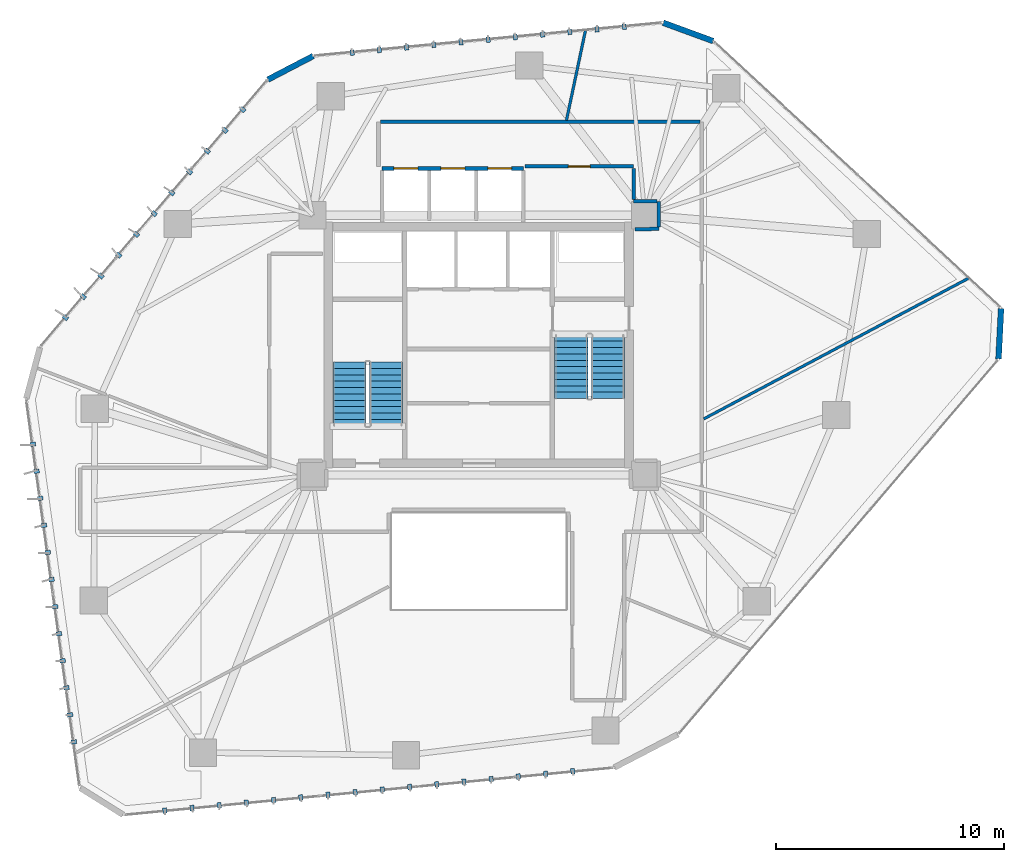
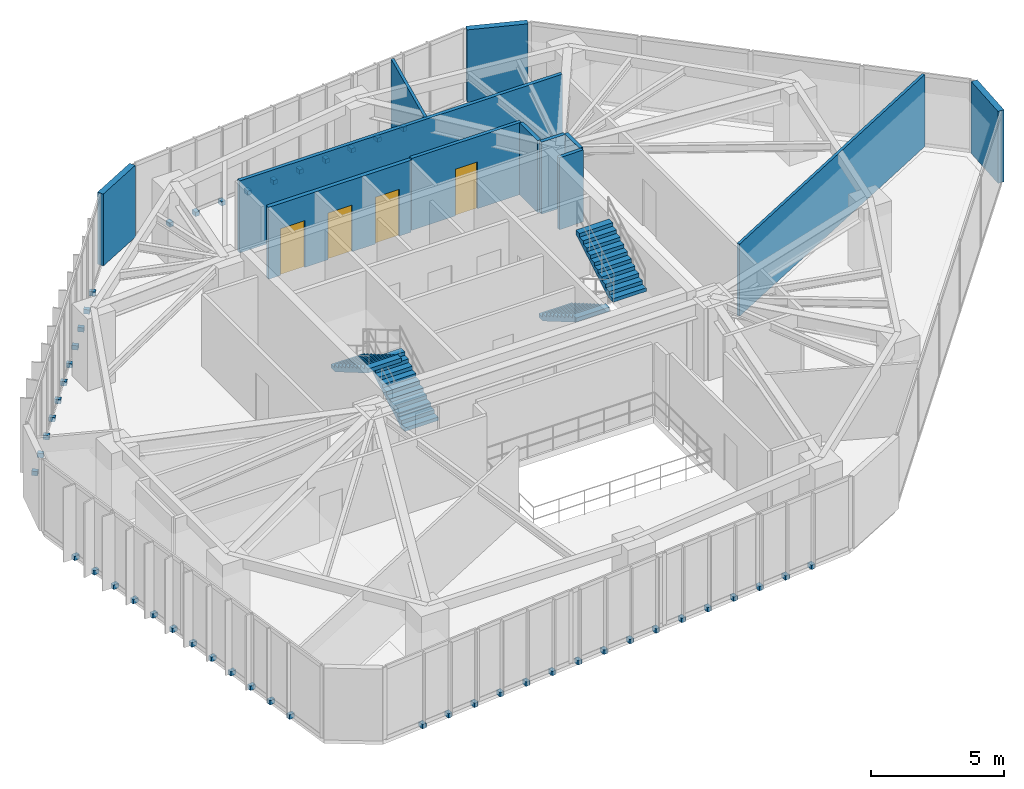
# One storey, part 19 of 22: 50 discrete accessories, 12 walls, 4 doors, 4 stair flights, 4 openings, 2 elements without a shape of their own.
"""IFC4 building model written with IfcOpenShell, lengths in metres."""

from ifc_helpers import new_model, si_unit, direction, frame, frame_2d, origin, origin_2d, place, context, subcontext, project, spatial, polyline, rectangle, outline, extrude, source, transform, mapped, material, layer, layer_set, type_object, type_shapes, element, fill, aggregate, save


model = new_model("IFC4")

# Units and contexts
model_context = context("Model", 3, precision=1e-05, world=origin(), true_north=direction((0.0, 1.0)))
body_context = subcontext(model_context, "Body", "Model", "MODEL_VIEW")
ifc_project = project(units=[si_unit("LENGTHUNIT", "METRE"), si_unit("AREAUNIT", "SQUARE_METRE"), si_unit("VOLUMEUNIT", "CUBIC_METRE"), si_unit("PLANEANGLEUNIT", "RADIAN"), si_unit("MASSUNIT", "GRAM", prefix="KILO")], contexts=[model_context])

# Site, building, storey
site_placement = place(None, origin())
site = spatial("IfcSite", under=ifc_project, at=site_placement, CompositionType="ELEMENT")
building_placement = place(site_placement, origin())
building = spatial("IfcBuilding", under=site, at=building_placement, Name="Talar Marvaseh", CompositionType="ELEMENT")
storey_placement = place(building_placement, frame((0.0, 0.0, 107.39990234375)))
storey = spatial("IfcBuildingStorey", under=building, at=storey_placement, Name="L27", CompositionType="ELEMENT", Elevation=107.39990234375)

# Walls
ifc_material_1 = material(Name="Precast concrete C45/55", Category="concrete")
ifc_layer_1 = layer(ifc_material_1, 0.2548828125)
ifc_layer_set_1 = layer_set([ifc_layer_1], Name="Precast concrete C45/55")
wall_type_1 = type_object("IfcWallType", Name="Chamfered Hexagonal Corner Pier Wall Z2 255", PredefinedType="SOLIDWALL", material=ifc_layer_set_1)
wall_1_placement = place(storey_placement, frame((16.740234375, 42.856689453125, 0.0), z_axis=(0.0, 0.0, 1.0), x_axis=(0.887022654888, 0.461725903231, 0.0)))
element("IfcWall", 1, at=wall_1_placement, inside=storey, type_object=wall_type_1, Name="L27 Chamfered Corner Limestone Pier 3", PredefinedType="SOLIDWALL", context=body_context, shape_type="SweptSolid", body=[
    extrude(rectangle(XDim=2.2451171875, YDim=0.2548828125, at=frame_2d((1.12255859375, 0.0))), origin(), (0.0, 0.0, 1.0), 3.31005859375),
])
wall_2_placement = place(storey_placement, frame((34.10107421875, 45.353515625, 0.0), z_axis=(0.0, 0.0, 1.0), x_axis=(0.938901034716, -0.344187226679, 0.0)))
element("IfcWall", 2, at=wall_2_placement, inside=storey, type_object=wall_type_1, Name="L27 Chamfered Corner Limestone Pier 4", PredefinedType="SOLIDWALL", context=body_context, shape_type="SweptSolid", body=[
    extrude(rectangle(XDim=2.3408203125, YDim=0.2548828125, at=frame_2d((1.17041015625, 0.0))), origin(), (0.0, 0.0, 1.0), 3.31005859375),
])
wall_3_placement = place(storey_placement, frame((48.942626953125, 32.797607421875, 0.0), z_axis=(0.0, 0.0, 1.0), x_axis=(-0.050997852347, -0.998698762919, 0.0)))
element("IfcWall", 3, at=wall_3_placement, inside=storey, type_object=wall_type_1, Name="L27 Chamfered Corner Limestone Pier 5", PredefinedType="SOLIDWALL", context=body_context, shape_type="SweptSolid", body=[
    extrude(rectangle(XDim=2.216552734375, YDim=0.2548828125, at=frame_2d((1.1083984375, 0.0))), origin(), (0.0, 0.0, 1.0), 3.31005859375),
])

# Wall, opening, door
ifc_material_2 = material(Name="Gypsum Board Partition Assembly")
ifc_layer_2 = layer(ifc_material_2, 0.155029296875)
ifc_layer_set_2 = layer_set([ifc_layer_2], Name="Gypsum Board Partition Assembly")
wall_type_2 = type_object("IfcWallType", Name="Corridor Fire-Rated Acoustic Partition 155", PredefinedType="PARTITIONING", material=ifc_layer_set_2)
wall_4_placement = place(storey_placement, frame((32.800048828125, 39.0400390625, 0.0), z_axis=(0.0, 0.0, 1.0), x_axis=(-1.0, 0.0, 0.0)))
wall_4 = element("IfcWall", 4, at=wall_4_placement, inside=storey, type_object=wall_type_2, Name="L27 Interior Partition Wall", PredefinedType="PARTITIONING", context=body_context, shape_type="SweptSolid", body=[
    extrude(rectangle(XDim=4.77001953125, YDim=0.155029296875, at=frame_2d((2.385009765625, 0.0))), origin(), (0.0, 0.0, 1.0), 3.31005859375),
])
opening_1_placement = place(wall_4_placement, frame((1.909912109375, 0.0, 0.0)))
opening_1 = element("IfcOpeningElement", 5, at=opening_1_placement, cuts=wall_4, Name="Opening DR-WC095", PredefinedType="OPENING", context=body_context, shape_type="SweptSolid", body=[
    extrude(rectangle(XDim=0.949951171875, YDim=2.14990234375, at=frame_2d((0.47509765625, 1.074951171875))), frame((0.0, 0.08740234375, 0.0), z_axis=(0.0, -1.0, 0.0), x_axis=(1.0, 0.0, 0.0)), (0.0, 0.0, 1.0), 0.175048828125),
])
ifc_material_3 = material(Name="Acoustic Engineered Oak Timber", Category="wood")
door_type_1 = type_object("IfcDoorType", Name="Washroom and Service Room Door 950x2150", OperationType="NOTDEFINED", PredefinedType="DOOR", material=ifc_material_3)
shared_shape_1 = source(origin(), body_context, "Body", "SweptSolid", [
    extrude(rectangle(XDim=0.949951171875, YDim=2.14990234375, at=frame_2d((0.47509765625, 1.074951171875))), frame((0.0, 0.02490234375, 0.0), z_axis=(0.0, -1.0, 0.0), x_axis=(1.0, 0.0, 0.0)), (0.0, 0.0, 1.0), 0.050048828125),
])
type_shapes(door_type_1, [shared_shape_1])
door_1_placement = place(opening_1_placement, origin())
door_1 = element("IfcDoor", 6, at=door_1_placement, inside=storey, type_object=door_type_1, Name="L27 WC Public Washrooms Door", OperationType="SINGLE_SWING_RIGHT", OverallHeight=2.14990234375, OverallWidth=0.949951171875, PredefinedType="DOOR", context=body_context, shape_type="MappedRepresentation", body=[
    mapped(shared_shape_1, transform((0.0, 0.0, 0.0), x_axis=(1.0, 0.0, 0.0), y_axis=(0.0, 1.0, 0.0), z_axis=(0.0, 0.0, 1.0), scale=1.0)),
])
fill(opening_1, door_1)

# Walls
wall_5_placement = place(storey_placement, frame((32.8701171875, 36.284912109375, 0.0), z_axis=(0.0, 0.0, 1.0), x_axis=(0.999895094683, 0.014484461652, 0.0)))
element("IfcWall", 7, at=wall_5_placement, inside=storey, type_object=wall_type_2, Name="L27 Interior Partition Wall", PredefinedType="PARTITIONING", context=body_context, shape_type="SweptSolid", body=[
    extrude(rectangle(XDim=1.044921875, YDim=0.155029296875, at=frame_2d((0.5224609375, 0.0))), origin(), (0.0, 0.0, 1.0), 3.31005859375),
])
wall_6_placement = place(storey_placement, frame((33.914794921875, 36.383544921875, 0.0), z_axis=(0.0, 0.0, 1.0), x_axis=(-0.003682817312, 0.999993218405, 0.0)))
element("IfcWall", 8, at=wall_6_placement, inside=storey, type_object=wall_type_2, Name="L27 Interior Partition Wall", PredefinedType="PARTITIONING", context=body_context, shape_type="SweptSolid", body=[
    extrude(rectangle(XDim=1.126953125, YDim=0.155029296875, at=frame_2d((0.5634765625, 0.0))), origin(), (0.0, 0.0, 1.0), 3.31005859375),
])
wall_7_placement = place(storey_placement, frame((33.8271484375, 37.510986328125, 0.0), z_axis=(0.0, 0.0, 1.0), x_axis=(-0.99999276797, 0.003803157663, 0.0)))
element("IfcWall", 9, at=wall_7_placement, inside=storey, type_object=wall_type_2, Name="L27 Interior Partition Wall", PredefinedType="PARTITIONING", context=body_context, shape_type="SweptSolid", body=[
    extrude(rectangle(XDim=1.027099609375, YDim=0.155029296875, at=frame_2d((0.513671875, 0.0))), origin(), (0.0, 0.0, 1.0), 3.31005859375),
])
wall_8_placement = place(storey_placement, frame((32.800048828125, 37.598388671875, 0.0), z_axis=(0.0, 0.0, 1.0), x_axis=(0.0, 1.0, 0.0)))
element("IfcWall", 10, at=wall_8_placement, inside=storey, type_object=wall_type_2, Name="L27 Interior Partition Wall", PredefinedType="PARTITIONING", context=body_context, shape_type="SweptSolid", body=[
    extrude(rectangle(XDim=1.358154296875, YDim=0.155029296875, at=frame_2d((0.67919921875, 0.0))), origin(), (0.0, 0.0, 1.0), 3.31005859375),
])
wall_9_placement = place(storey_placement, frame((21.68359375, 41.0, 0.0), z_axis=(0.0, 0.0, 1.0), x_axis=(1.0, 0.0, 0.0)))
element("IfcWall", 11, at=wall_9_placement, inside=storey, type_object=wall_type_2, Name="L27 Interior Partition Wall", PredefinedType="PARTITIONING", context=body_context, shape_type="SweptSolid", body=[
    extrude(rectangle(XDim=14.032958984375, YDim=0.155029296875, at=frame_2d((7.0166015625, 0.0))), origin(), (0.0, 0.0, 1.0), 3.31005859375),
])
ifc_layer_3 = layer(ifc_material_2, 0.1201171875)
ifc_layer_set_3 = layer_set([ifc_layer_3], Name="Gypsum Board Partition Assembly")
wall_type_3 = type_object("IfcWallType", Name="Demountable Studio Room Partition 120", PredefinedType="PARTITIONING", material=ifc_layer_set_3)
wall_10_placement = place(storey_placement, frame((35.883544921875, 27.954345703125, 0.0), z_axis=(0.0, 0.0, 1.0), x_axis=(0.883135895222, 0.469117246082, 0.0)))
element("IfcWall", 12, at=wall_10_placement, inside=storey, type_object=wall_type_3, Name="L27 Interior Partition Wall", PredefinedType="PARTITIONING", context=body_context, shape_type="SweptSolid", body=[
    extrude(rectangle(XDim=13.159912109375, YDim=0.1201171875, at=frame_2d((6.580078125, 0.0))), origin(), (0.0, 0.0, 1.0), 3.31005859375),
])
wall_11_placement = place(storey_placement, frame((29.853515625, 41.063720703125, 0.0), z_axis=(0.0, 0.0, 1.0), x_axis=(0.206904008555, 0.978361247824, 0.0)))
element("IfcWall", 13, at=wall_11_placement, inside=storey, type_object=wall_type_3, Name="L27 Interior Partition Wall", PredefinedType="PARTITIONING", context=body_context, shape_type="SweptSolid", body=[
    extrude(rectangle(XDim=4.034423828125, YDim=0.1201171875, at=frame_2d((2.01708984375, 0.0))), origin(), (0.0, 0.0, 1.0), 3.31005859375),
])

# Wall, openings, doors
ifc_layer_4 = layer(ifc_material_1, 0.175048828125)
ifc_layer_set_4 = layer_set([ifc_layer_4], Name="Precast concrete C45/55")
wall_type_4 = type_object("IfcWallType", Name="Fire-Rated Lift Hoistway Enclosure Wall 175", PredefinedType="SOLIDWALL", material=ifc_layer_set_4)
wall_12_placement = place(storey_placement, frame((21.760009765625, 38.9599609375, 0.0), z_axis=(0.0, 0.0, 1.0), x_axis=(1.0, 0.0, 0.0)))
wall_12 = element("IfcWall", 14, at=wall_12_placement, inside=storey, type_object=wall_type_4, Name="L27 Low-Rise Lift Bank Front Wall", PredefinedType="SOLIDWALL", context=body_context, shape_type="SweptSolid", body=[
    extrude(rectangle(XDim=6.199951171875, YDim=0.175048828125, at=frame_2d((3.10009765625, 0.0))), origin(), (0.0, 0.0, 1.0), 3.31005859375),
])
opening_2_placement = place(wall_12_placement, frame((0.52001953125, 0.0, 0.0)))
opening_2 = element("IfcOpeningElement", 15, at=opening_2_placement, cuts=wall_12, Name="Opening LD-PLL1", PredefinedType="OPENING", context=body_context, shape_type="SweptSolid", body=[
    extrude(rectangle(XDim=1.050048828125, YDim=2.14990234375, at=frame_2d((0.52490234375, 1.074951171875))), frame((0.0, 0.09765625, 0.0), z_axis=(0.0, -1.0, 0.0), x_axis=(1.0, 0.0, 0.0)), (0.0, 0.0, 1.0), 0.195068359375),
])
opening_3_placement = place(wall_12_placement, frame((2.580078125, 0.0, 0.0)))
opening_3 = element("IfcOpeningElement", 16, at=opening_3_placement, cuts=wall_12, Name="Opening LD-PLL2", PredefinedType="OPENING", context=body_context, shape_type="SweptSolid", body=[
    extrude(rectangle(XDim=1.050048828125, YDim=2.14990234375, at=frame_2d((0.52490234375, 1.074951171875))), frame((0.0, 0.09765625, 0.0), z_axis=(0.0, -1.0, 0.0), x_axis=(1.0, 0.0, 0.0)), (0.0, 0.0, 1.0), 0.195068359375),
])
opening_4_placement = place(wall_12_placement, frame((4.639892578125, 0.0, 0.0)))
opening_4 = element("IfcOpeningElement", 17, at=opening_4_placement, cuts=wall_12, Name="Opening LD-PLL3", PredefinedType="OPENING", context=body_context, shape_type="SweptSolid", body=[
    extrude(rectangle(XDim=1.050048828125, YDim=2.14990234375, at=frame_2d((0.52490234375, 1.074951171875))), frame((0.0, 0.09765625, 0.0), z_axis=(0.0, -1.0, 0.0), x_axis=(1.0, 0.0, 0.0)), (0.0, 0.0, 1.0), 0.195068359375),
])
ifc_material_4 = material(Name="Stainless Steel Grade 316", Category="steel")
door_type_2 = type_object("IfcDoorType", Name="Automatic Sliding Lift Landing Door 1050x2150", OperationType="NOTDEFINED", PredefinedType="DOOR", material=ifc_material_4)
shared_shape_2 = source(origin(), body_context, "Body", "SweptSolid", [
    extrude(rectangle(XDim=1.050048828125, YDim=2.14990234375, at=frame_2d((0.52490234375, 1.074951171875))), frame((0.0, 0.02490234375, 0.0), z_axis=(0.0, -1.0, 0.0), x_axis=(1.0, 0.0, 0.0)), (0.0, 0.0, 1.0), 0.050048828125),
])
type_shapes(door_type_2, [shared_shape_2])
door_2_placement = place(opening_2_placement, origin())
door_2 = element("IfcDoor", 18, at=door_2_placement, inside=storey, type_object=door_type_2, Name="L27 Lift PL-L1 Sliding Landing Door", OperationType="SLIDING_TO_LEFT", OverallHeight=2.14990234375, OverallWidth=1.050048828125, PredefinedType="DOOR", context=body_context, shape_type="MappedRepresentation", body=[
    mapped(shared_shape_2, transform((0.0, 0.0, 0.0), x_axis=(1.0, 0.0, 0.0), y_axis=(0.0, 1.0, 0.0), z_axis=(0.0, 0.0, 1.0), scale=1.0)),
])
fill(opening_2, door_2)
door_3_placement = place(opening_3_placement, origin())
door_3 = element("IfcDoor", 19, at=door_3_placement, inside=storey, type_object=door_type_2, Name="L27 Lift PL-L2 Sliding Landing Door", OperationType="SLIDING_TO_LEFT", OverallHeight=2.14990234375, OverallWidth=1.050048828125, PredefinedType="DOOR", context=body_context, shape_type="MappedRepresentation", body=[
    mapped(shared_shape_2, transform((0.0, 0.0, 0.0), x_axis=(1.0, 0.0, 0.0), y_axis=(0.0, 1.0, 0.0), z_axis=(0.0, 0.0, 1.0), scale=1.0)),
])
fill(opening_3, door_3)
door_4_placement = place(opening_4_placement, origin())
door_4 = element("IfcDoor", 20, at=door_4_placement, inside=storey, type_object=door_type_2, Name="L27 Lift PL-L3 Sliding Landing Door", OperationType="SLIDING_TO_LEFT", OverallHeight=2.14990234375, OverallWidth=1.050048828125, PredefinedType="DOOR", context=body_context, shape_type="MappedRepresentation", body=[
    mapped(shared_shape_2, transform((0.0, 0.0, 0.0), x_axis=(1.0, 0.0, 0.0), y_axis=(0.0, 1.0, 0.0), z_axis=(0.0, 0.0, 1.0), scale=1.0)),
])
fill(opening_4, door_4)

# Stair, stair flights
ifc_material_5 = material(Name="Concrete C40/50", Category="concrete")
stair_type = type_object("IfcStairType", Name="Reinforced Concrete Half-Turn Exit Stair Type B", PredefinedType="HALF_TURN_STAIR", material=ifc_material_5)
stair_1_placement = place(storey_placement, origin())
stair_1 = element("IfcStair", 21, at=stair_1_placement, inside=storey, type_object=stair_type, Name="L27 Tower West Core Exit Stair", PredefinedType="HALF_TURN_STAIR")
ifc_layer_5 = layer(ifc_material_5, 0.159912109375)
ifc_layer_set_5 = layer_set([ifc_layer_5], Name="Concrete C40/50")
stair_flight_type = type_object("IfcStairFlightType", Name="Reinforced Concrete Straight Stair Flight 160", PredefinedType="STRAIGHT", material=ifc_layer_set_5)
stair_flight_1_placement = place(storey_placement, frame((21.93505859375, 27.64990234375, 0.0), z_axis=(0.0, 0.0, 1.0), x_axis=(0.0, 1.0, 0.0)))
stair_flight_1 = element("IfcStairFlight", 22, at=stair_flight_1_placement, type_object=stair_flight_type, Name="ST-1 flight 1", NumberOfRisers=11, NumberOfTreads=10, PredefinedType="STRAIGHT", RiserHeight=0.163636364, TreadLength=0.28, context=body_context, shape_type="SweptSolid", body=[
    extrude(outline(polyline([(0.0, 0.0), (0.0, 0.16357421875), (0.280029296875, 0.16357421875), (0.280029296875, 0.327392578125), (0.56005859375, 0.327392578125), (0.56005859375, 0.490966796875), (0.840087890625, 0.490966796875), (0.840087890625, 0.654541015625), (1.1201171875, 0.654541015625), (1.1201171875, 0.818115234375), (1.39990234375, 0.818115234375), (1.39990234375, 0.98193359375), (1.679931640625, 0.98193359375), (1.679931640625, 1.1455078125), (1.9599609375, 1.1455078125), (1.9599609375, 1.30908203125), (2.239990234375, 1.30908203125), (2.239990234375, 1.47265625), (2.52001953125, 1.47265625), (2.52001953125, 1.636474609375), (2.800048828125, 1.636474609375), (2.800048828125, 1.800048828125), (2.800048828125, 1.451171875), (0.31689453125, 0.0), (0.0, 0.0)])), frame((0.0, 0.72509765625, 0.0), z_axis=(0.0, -1.0, 0.0), x_axis=(1.0, 0.0, 0.0)), (0.0, 0.0, 1.0), 1.449951171875),
])
stair_flight_2_placement = place(storey_placement, frame((20.324951171875, 30.449951171875, 1.800048828125), z_axis=(0.0, 0.0, 1.0), x_axis=(0.0, -1.0, 0.0)))
stair_flight_2 = element("IfcStairFlight", 23, at=stair_flight_2_placement, type_object=stair_flight_type, Name="ST-1 flight 2", NumberOfRisers=11, NumberOfTreads=10, PredefinedType="STRAIGHT", RiserHeight=0.163636364, TreadLength=0.28, context=body_context, shape_type="SweptSolid", body=[
    extrude(outline(polyline([(0.0, 0.0), (0.0, 0.16357421875), (0.280029296875, 0.16357421875), (0.280029296875, 0.327392578125), (0.56005859375, 0.327392578125), (0.56005859375, 0.490966796875), (0.840087890625, 0.490966796875), (0.840087890625, 0.654541015625), (1.1201171875, 0.654541015625), (1.1201171875, 0.818115234375), (1.39990234375, 0.818115234375), (1.39990234375, 0.98193359375), (1.679931640625, 0.98193359375), (1.679931640625, 1.1455078125), (1.9599609375, 1.1455078125), (1.9599609375, 1.30908203125), (2.239990234375, 1.30908203125), (2.239990234375, 1.47265625), (2.52001953125, 1.47265625), (2.52001953125, 1.636474609375), (2.800048828125, 1.636474609375), (2.800048828125, 1.800048828125), (2.800048828125, 1.451171875), (0.31689453125, 0.0), (0.0, 0.0)])), frame((0.0, 0.72509765625, 0.0), z_axis=(0.0, -1.0, 0.0), x_axis=(1.0, 0.0, 0.0)), (0.0, 0.0, 1.0), 1.449951171875),
])
aggregate(stair_1, [stair_flight_1, stair_flight_2])

stair_2_placement = place(storey_placement, origin())
stair_2 = element("IfcStair", 24, at=stair_2_placement, inside=storey, type_object=stair_type, Name="L27 Tower East Core Exit Stair", PredefinedType="HALF_TURN_STAIR")
stair_flight_3_placement = place(storey_placement, frame((30.06494140625, 31.64990234375, 0.0), z_axis=(0.0, 0.0, 1.0), x_axis=(0.0, -1.0, 0.0)))
stair_flight_3 = element("IfcStairFlight", 25, at=stair_flight_3_placement, type_object=stair_flight_type, Name="ST-2 flight 1", NumberOfRisers=11, NumberOfTreads=10, PredefinedType="STRAIGHT", RiserHeight=0.163636364, TreadLength=0.28, context=body_context, shape_type="SweptSolid", body=[
    extrude(outline(polyline([(0.0, 0.0), (0.0, 0.16357421875), (0.280029296875, 0.16357421875), (0.280029296875, 0.327392578125), (0.56005859375, 0.327392578125), (0.56005859375, 0.490966796875), (0.840087890625, 0.490966796875), (0.840087890625, 0.654541015625), (1.1201171875, 0.654541015625), (1.1201171875, 0.818115234375), (1.39990234375, 0.818115234375), (1.39990234375, 0.98193359375), (1.679931640625, 0.98193359375), (1.679931640625, 1.1455078125), (1.9599609375, 1.1455078125), (1.9599609375, 1.30908203125), (2.239990234375, 1.30908203125), (2.239990234375, 1.47265625), (2.52001953125, 1.47265625), (2.52001953125, 1.636474609375), (2.800048828125, 1.636474609375), (2.800048828125, 1.800048828125), (2.800048828125, 1.451171875), (0.31689453125, 0.0), (0.0, 0.0)])), frame((0.0, 0.72509765625, 0.0), z_axis=(0.0, -1.0, 0.0), x_axis=(1.0, 0.0, 0.0)), (0.0, 0.0, 1.0), 1.449951171875),
])
stair_flight_4_placement = place(storey_placement, frame((31.675048828125, 28.85009765625, 1.800048828125), z_axis=(0.0, 0.0, 1.0), x_axis=(0.0, 1.0, 0.0)))
stair_flight_4 = element("IfcStairFlight", 26, at=stair_flight_4_placement, type_object=stair_flight_type, Name="ST-2 flight 2", NumberOfRisers=11, NumberOfTreads=10, PredefinedType="STRAIGHT", RiserHeight=0.163636364, TreadLength=0.28, context=body_context, shape_type="SweptSolid", body=[
    extrude(outline(polyline([(0.0, 0.0), (0.0, 0.16357421875), (0.280029296875, 0.16357421875), (0.280029296875, 0.327392578125), (0.56005859375, 0.327392578125), (0.56005859375, 0.490966796875), (0.840087890625, 0.490966796875), (0.840087890625, 0.654541015625), (1.1201171875, 0.654541015625), (1.1201171875, 0.818115234375), (1.39990234375, 0.818115234375), (1.39990234375, 0.98193359375), (1.679931640625, 0.98193359375), (1.679931640625, 1.1455078125), (1.9599609375, 1.1455078125), (1.9599609375, 1.30908203125), (2.239990234375, 1.30908203125), (2.239990234375, 1.47265625), (2.52001953125, 1.47265625), (2.52001953125, 1.636474609375), (2.800048828125, 1.636474609375), (2.800048828125, 1.800048828125), (2.800048828125, 1.451171875), (0.31689453125, 0.0), (0.0, 0.0)])), frame((0.0, 0.72509765625, 0.0), z_axis=(0.0, -1.0, 0.0), x_axis=(1.0, 0.0, 0.0)), (0.0, 0.0, 1.0), 1.449951171875),
])
aggregate(stair_2, [stair_flight_3, stair_flight_4])

# Discrete accessories
discrete_accessory_type = type_object("IfcDiscreteAccessoryType", Name="Stainless Slab-Edge Fin Mounting Bracket", PredefinedType="BRACKET", material=ifc_material_4)
shared_shape_3 = source(origin(), body_context, "Body", "SweptSolid", [
    extrude(rectangle(XDim=0.239990234375, YDim=0.179931640625, at=origin_2d()), origin(), (0.0, 0.0, 1.0), 0.199951171875),
])
type_shapes(discrete_accessory_type, [shared_shape_3])
for number, where, z_axis, x_axis, name in (
    (27, (8.220703125, 13.767578125, -0.1796875), (0.0, 0.0, 1.0), (-0.990629029058, -0.136580111242, 0.0), "L27 Vertical Fin Slab-Edge Bracket"),
    (28, (8.056884765625, 14.956298828125, -0.1796875), (0.0, 0.0, 1.0), (-0.990629029058, -0.136580111242, 0.0), "L27 Vertical Fin Slab-Edge Bracket"),
    (29, (7.89306640625, 16.14501953125, -0.1796875), (0.0, 0.0, 1.0), (-0.990629029058, -0.136580111242, 0.0), "L27 Vertical Fin Slab-Edge Bracket"),
    (30, (7.729248046875, 17.333740234375, -0.1796875), (0.0, 0.0, 1.0), (-0.990629029058, -0.136580111242, 0.0), "L27 Vertical Fin Slab-Edge Bracket"),
    (31, (7.5654296875, 18.522705078125, -0.1796875), (0.0, 0.0, 1.0), (-0.990629029058, -0.136580111242, 0.0), "L27 Vertical Fin Slab-Edge Bracket"),
    (32, (7.401611328125, 19.71142578125, -0.1796875), (0.0, 0.0, 1.0), (-0.990629029058, -0.136580111242, 0.0), "L27 Vertical Fin Slab-Edge Bracket"),
    (33, (7.23779296875, 20.900146484375, -0.1796875), (0.0, 0.0, 1.0), (-0.990629029058, -0.136580111242, 0.0), "L27 Vertical Fin Slab-Edge Bracket"),
    (34, (7.073974609375, 22.0888671875, -0.1796875), (0.0, 0.0, 1.0), (-0.990629029058, -0.136580111242, 0.0), "L27 Vertical Fin Slab-Edge Bracket"),
    (35, (6.91015625, 23.277587890625, -0.1796875), (0.0, 0.0, 1.0), (-0.990629029058, -0.136580111242, 0.0), "L27 Vertical Fin Slab-Edge Bracket"),
    (36, (6.746337890625, 24.46630859375, -0.1796875), (0.0, 0.0, 1.0), (-0.990629029058, -0.136580111242, 0.0), "L27 Vertical Fin Slab-Edge Bracket"),
    (37, (6.58251953125, 25.6552734375, -0.1796875), (0.0, 0.0, 1.0), (-0.990629029058, -0.136580111242, 0.0), "L27 Vertical Fin Slab-Edge Bracket"),
    (38, (6.418701171875, 26.843994140625, -0.1796875), (0.0, 0.0, 1.0), (-0.990629029058, -0.136580111242, 0.0), "L27 Vertical Fin Slab-Edge Bracket"),
    (39, (7.855712890625, 32.405029296875, -0.1796875), (0.0, 0.0, 1.0), (-0.761198848376, 0.648518552727, 0.0), "L27 Vertical Fin Slab-Edge Bracket"),
    (40, (8.6337890625, 33.318603515625, -0.1796875), (0.0, 0.0, 1.0), (-0.761198848376, 0.648518552727, 0.0), "L27 Vertical Fin Slab-Edge Bracket"),
    (41, (9.412109375, 34.23193359375, -0.1796875), (0.0, 0.0, 1.0), (-0.761198848376, 0.648518552727, 0.0), "L27 Vertical Fin Slab-Edge Bracket"),
    (42, (10.1904296875, 35.145263671875, -0.1796875), (0.0, 0.0, 1.0), (-0.761198848376, 0.648518552727, 0.0), "L27 Vertical Fin Slab-Edge Bracket"),
    (43, (10.96875, 36.05859375, -0.1796875), (0.0, 0.0, 1.0), (-0.761198848376, 0.648518552727, 0.0), "L27 Vertical Fin Slab-Edge Bracket"),
    (44, (11.7470703125, 36.97216796875, -0.1796875), (0.0, 0.0, 1.0), (-0.761198848376, 0.648518552727, 0.0), "L27 Vertical Fin Slab-Edge Bracket"),
    (45, (12.525146484375, 37.885498046875, -0.1796875), (0.0, 0.0, 1.0), (-0.761198848376, 0.648518552727, 0.0), "L27 Vertical Fin Slab-Edge Bracket"),
    (46, (13.303466796875, 38.799072265625, -0.1796875), (0.0, 0.0, 1.0), (-0.761198848376, 0.648518552727, 0.0), "L27 Vertical Fin Slab-Edge Bracket"),
    (47, (14.081787109375, 39.71240234375, -0.1796875), (0.0, 0.0, 1.0), (-0.761198848376, 0.648518552727, 0.0), "L27 Vertical Fin Slab-Edge Bracket"),
    (48, (14.860107421875, 40.625732421875, -0.1796875), (0.0, 0.0, 1.0), (-0.761198848376, 0.648518552727, 0.0), "L27 Vertical Fin Slab-Edge Bracket"),
    (49, (15.63818359375, 41.539306640625, -0.1796875), (0.0, 0.0, 1.0), (-0.761198848376, 0.648518552727, 0.0), "L27 Vertical Fin Slab-Edge Bracket"),
    (50, (20.443115234375, 44.040283203125, -0.1796875), (0.0, 0.0, 1.0), (-0.09462957542, 0.995512553138, 0.0), "L27 Vertical Fin Slab-Edge Bracket"),
    (51, (21.6376953125, 44.154052734375, -0.1796875), (0.0, 0.0, 1.0), (-0.09462957542, 0.995512553138, 0.0), "L27 Vertical Fin Slab-Edge Bracket"),
    (52, (22.832275390625, 44.267578125, -0.1796875), (0.0, 0.0, 1.0), (-0.09462957542, 0.995512553138, 0.0), "L27 Vertical Fin Slab-Edge Bracket"),
    (53, (24.02685546875, 44.381103515625, -0.1796875), (0.0, 0.0, 1.0), (-0.09462957542, 0.995512553138, 0.0), "L27 Vertical Fin Slab-Edge Bracket"),
    (54, (25.221435546875, 44.494873046875, -0.1796875), (0.0, 0.0, 1.0), (-0.09462957542, 0.995512553138, 0.0), "L27 Vertical Fin Slab-Edge Bracket"),
    (55, (26.416015625, 44.6083984375, -0.1796875), (0.0, 0.0, 1.0), (-0.09462957542, 0.995512553138, 0.0), "L27 Vertical Fin Slab-Edge Bracket"),
    (56, (27.610595703125, 44.721923828125, -0.1796875), (0.0, 0.0, 1.0), (-0.09462957542, 0.995512553138, 0.0), "L27 Vertical Fin Slab-Edge Bracket"),
    (57, (28.805419921875, 44.835693359375, -0.1796875), (0.0, 0.0, 1.0), (-0.09462957542, 0.995512553138, 0.0), "L27 Vertical Fin Slab-Edge Bracket"),
    (58, (30.0, 44.94921875, -0.1796875), (0.0, 0.0, 1.0), (-0.09462957542, 0.995512553138, 0.0), "L27 Vertical Fin Slab-Edge Bracket"),
    (59, (31.194580078125, 45.062744140625, -0.1796875), (0.0, 0.0, 1.0), (-0.09462957542, 0.995512553138, 0.0), "L27 Vertical Fin Slab-Edge Bracket"),
    (60, (32.38916015625, 45.176513671875, -0.1796875), (0.0, 0.0, 1.0), (-0.09462957542, 0.995512553138, 0.0), "L27 Vertical Fin Slab-Edge Bracket"),
    (61, (30.13232421875, 12.480712890625, -0.1796875), (0.0, 0.0, 1.0), (0.09601948047, -0.995379454967, 0.0), "L27 Vertical Fin Slab-Edge Bracket"),
    (62, (28.937744140625, 12.365478515625, -0.1796875), (0.0, 0.0, 1.0), (0.09601948047, -0.995379454967, 0.0), "L27 Vertical Fin Slab-Edge Bracket"),
    (63, (27.743408203125, 12.250244140625, -0.1796875), (0.0, 0.0, 1.0), (0.09601948047, -0.995379454967, 0.0), "L27 Vertical Fin Slab-Edge Bracket"),
    (64, (26.548828125, 12.135009765625, -0.1796875), (0.0, 0.0, 1.0), (0.09601948047, -0.995379454967, 0.0), "L27 Vertical Fin Slab-Edge Bracket"),
    (65, (25.3544921875, 12.02001953125, -0.1796875), (0.0, 0.0, 1.0), (0.09601948047, -0.995379454967, 0.0), "L27 Vertical Fin Slab-Edge Bracket"),
    (66, (24.159912109375, 11.90478515625, -0.1796875), (0.0, 0.0, 1.0), (0.09601948047, -0.995379454967, 0.0), "L27 Vertical Fin Slab-Edge Bracket"),
    (67, (22.965576171875, 11.78955078125, -0.1796875), (0.0, 0.0, 1.0), (0.09601948047, -0.995379454967, 0.0), "L27 Vertical Fin Slab-Edge Bracket"),
    (68, (21.77099609375, 11.67431640625, -0.1796875), (0.0, 0.0, 1.0), (0.09601948047, -0.995379454967, 0.0), "L27 Vertical Fin Slab-Edge Bracket"),
    (69, (20.57666015625, 11.55908203125, -0.1796875), (0.0, 0.0, 1.0), (0.09601948047, -0.995379454967, 0.0), "L27 Vertical Fin Slab-Edge Bracket"),
    (70, (19.382080078125, 11.44384765625, -0.1796875), (0.0, 0.0, 1.0), (0.09601948047, -0.995379454967, 0.0), "L27 Vertical Fin Slab-Edge Bracket"),
    (71, (18.187744140625, 11.32861328125, -0.1796875), (0.0, 0.0, 1.0), (0.09601948047, -0.995379454967, 0.0), "L27 Vertical Fin Slab-Edge Bracket"),
    (72, (16.9931640625, 11.21337890625, -0.1796875), (0.0, 0.0, 1.0), (0.09601948047, -0.995379454967, 0.0), "L27 Vertical Fin Slab-Edge Bracket"),
    (73, (15.798828125, 11.098388671875, -0.1796875), (0.0, 0.0, 1.0), (0.09601948047, -0.995379454967, 0.0), "L27 Vertical Fin Slab-Edge Bracket"),
    (74, (14.604248046875, 10.983154296875, -0.1796875), (0.0, 0.0, 1.0), (0.09601948047, -0.995379454967, 0.0), "L27 Vertical Fin Slab-Edge Bracket"),
    (75, (13.409912109375, 10.867919921875, -0.1796875), (0.0, 0.0, 1.0), (0.09601948047, -0.995379454967, 0.0), "L27 Vertical Fin Slab-Edge Bracket"),
    (76, (12.21533203125, 10.752685546875, -0.1796875), (0.0, 0.0, 1.0), (0.09601948047, -0.995379454967, 0.0), "L27 Vertical Fin Slab-Edge Bracket"),
):
    element("IfcDiscreteAccessory", number, at=place(storey_placement, frame(where, z_axis=z_axis, x_axis=x_axis)), inside=storey, type_object=discrete_accessory_type, Name=name, PredefinedType="BRACKET", context=body_context, shape_type="MappedRepresentation", body=[
        mapped(shared_shape_3, transform((0.0, 0.0, 0.0), x_axis=(1.0, 0.0, 0.0), y_axis=(0.0, 1.0, 0.0), z_axis=(0.0, 0.0, 1.0), scale=1.0)),
    ])

save(model, "model.ifc")
